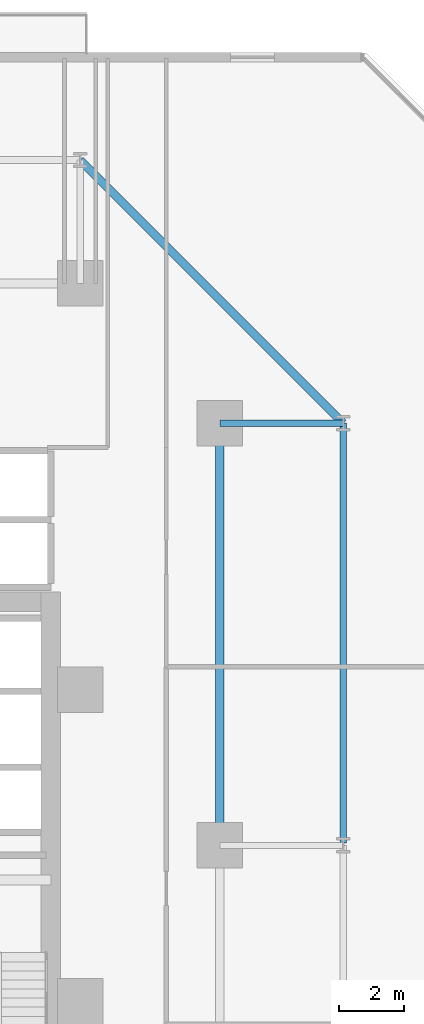
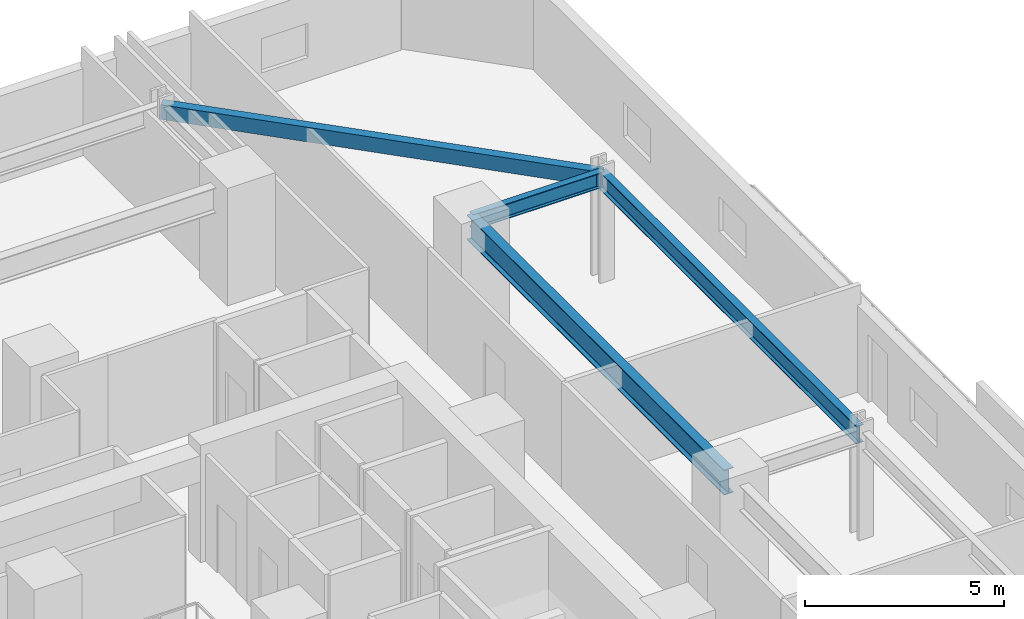
# One storey, part 18 of 36: 4 beams.
"""IFC4 building model written with IfcOpenShell, lengths in metres."""

from ifc_helpers import new_model, si_unit, direction, frame, origin, origin_2d, place, context, subcontext, project, spatial, hollow_rectangle, i_section, extrude, material, material_profile, profile_set, type_object, element, save


model = new_model("IFC4")

# Units and contexts
model_context = context("Model", 3, precision=1e-05, world=origin(), true_north=direction((0.0, 1.0)))
body_context = subcontext(model_context, "Body", "Model", "MODEL_VIEW")
ifc_project = project(units=[si_unit("LENGTHUNIT", "METRE"), si_unit("AREAUNIT", "SQUARE_METRE"), si_unit("VOLUMEUNIT", "CUBIC_METRE"), si_unit("PLANEANGLEUNIT", "RADIAN"), si_unit("MASSUNIT", "GRAM", prefix="KILO")], contexts=[model_context])

# Site, building, storey
site_placement = place(None, origin())
site = spatial("IfcSite", under=ifc_project, at=site_placement, CompositionType="ELEMENT")
building_placement = place(site_placement, origin())
building = spatial("IfcBuilding", under=site, at=building_placement, Name="Thornwick Lancets Civic Towers", CompositionType="ELEMENT")
storey_placement = place(building_placement, frame((0.0, 0.0, 68.10009765625)))
storey = spatial("IfcBuildingStorey", under=building, at=storey_placement, Name="L17", CompositionType="ELEMENT", Elevation=68.10009765625)

# Beams
ifc_material = material(Name="Steel S355JR", Category="steel")
ifc_material_profile_1 = material_profile(ifc_material, i_section(OverallWidth=0.2119140625, OverallDepth=0.54443359375, WebThickness=0.0126953125, FlangeThickness=0.021240234375, FilletRadius=0.0126953125, at=origin_2d()), Name="UKB 533x210x122")
ifc_profile_set_1 = profile_set([ifc_material_profile_1], Name="Steel S355JR")
beam_type_1 = type_object("IfcBeamType", Name="BM_EDGE_533_122", PredefinedType="SPANDREL", material=ifc_profile_set_1)
beam_1_placement = place(storey_placement, frame((109.60009765625, 27.080078125, 3.007568359375), z_axis=(0.0, 1.0, 0.0), x_axis=(-1.0, 0.0, 0.0)))
element("IfcBeam", 1, at=beam_1_placement, inside=storey, type_object=beam_type_1, Name="BM-EDGE-L17-B-S0-2", PredefinedType="SPANDREL", context=body_context, shape_type="SweptSolid", body=[
    extrude(i_section(OverallWidth=0.2119140625, OverallDepth=0.54443359375, WebThickness=0.0126953125, FlangeThickness=0.021240234375, FilletRadius=0.0126953125, at=origin_2d()), origin(), (0.0, 0.0, 1.0), 12.919921875),
])
ifc_material_profile_2 = material_profile(ifc_material, i_section(OverallWidth=0.26806640625, OverallDepth=0.769775390625, WebThickness=0.015625, FlangeThickness=0.025390625, FilletRadius=0.0166015625, at=origin_2d()), Name="UKB 762x267x197")
ifc_profile_set_2 = profile_set([ifc_material_profile_2], Name="Steel S355JR")
beam_type_2 = type_object("IfcBeamType", Name="BM_GIRD_762_197", PredefinedType="BEAM", material=ifc_profile_set_2)
beam_2_placement = place(storey_placement, frame((105.800048828125, 27.080078125, 2.89501953125), z_axis=(0.0, 1.0, 0.0), x_axis=(-1.0, 0.0, 0.0)))
element("IfcBeam", 2, at=beam_2_placement, inside=storey, type_object=beam_type_2, Name="BM-SPINE-L17-B-1-2", PredefinedType="BEAM", context=body_context, shape_type="SweptSolid", body=[
    extrude(i_section(OverallWidth=0.26806640625, OverallDepth=0.769775390625, WebThickness=0.015625, FlangeThickness=0.025390625, FilletRadius=0.0166015625, at=origin_2d()), origin(), (0.0, 0.0, 1.0), 12.919921875),
])
ifc_material_profile_3 = material_profile(ifc_material, i_section(OverallWidth=0.19287109375, OverallDepth=0.46728515625, WebThickness=0.011474609375, FlangeThickness=0.01953125, FilletRadius=0.01025390625, at=origin_2d()), Name="UKB 457x191x98")
ifc_profile_set_3 = profile_set([ifc_material_profile_3], Name="Steel S355JR")
beam_type_3 = type_object("IfcBeamType", Name="BM_JOIST_457_98", PredefinedType="JOIST", material=ifc_profile_set_3)
beam_3_placement = place(storey_placement, frame((105.800048828125, 40.0, 3.04638671875), z_axis=(1.0, 0.0, 0.0), x_axis=(0.0, 1.0, 0.0)))
element("IfcBeam", 3, at=beam_3_placement, inside=storey, type_object=beam_type_3, Name="BM-RAD-L17-B03", PredefinedType="JOIST", context=body_context, shape_type="SweptSolid", body=[
    extrude(i_section(OverallWidth=0.19287109375, OverallDepth=0.46728515625, WebThickness=0.011474609375, FlangeThickness=0.01953125, FilletRadius=0.01025390625, at=origin_2d()), origin(), (0.0, 0.0, 1.0), 3.800048828125),
])
ifc_material_profile_4 = material_profile(ifc_material, hollow_rectangle(XDim=0.25, YDim=0.449951171875, WallThickness=0.01611328125, at=origin_2d()), Name="RHS 450x250x16")
ifc_profile_set_4 = profile_set([ifc_material_profile_4], Name="Steel S355JR")
beam_type_4 = type_object("IfcBeamType", Name="BM_RING_RHS450", PredefinedType="BEAM", material=ifc_profile_set_4)
beam_4_placement = place(storey_placement, frame((109.60009765625, 40.0, 3.054931640625), z_axis=(-0.707106781187, 0.707106781187, 0.0), x_axis=(-0.707106781187, -0.707106781187, 0.0)))
element("IfcBeam", 4, at=beam_4_placement, inside=storey, type_object=beam_type_4, Name="BM-CHAMF-L17-B-C0", PredefinedType="BEAM", context=body_context, shape_type="SweptSolid", body=[
    extrude(hollow_rectangle(XDim=0.25, YDim=0.449951171875, WallThickness=0.01611328125, at=origin_2d()), origin(), (0.0, 0.0, 1.0), 11.455322265625),
])

save(model, "model.ifc")
